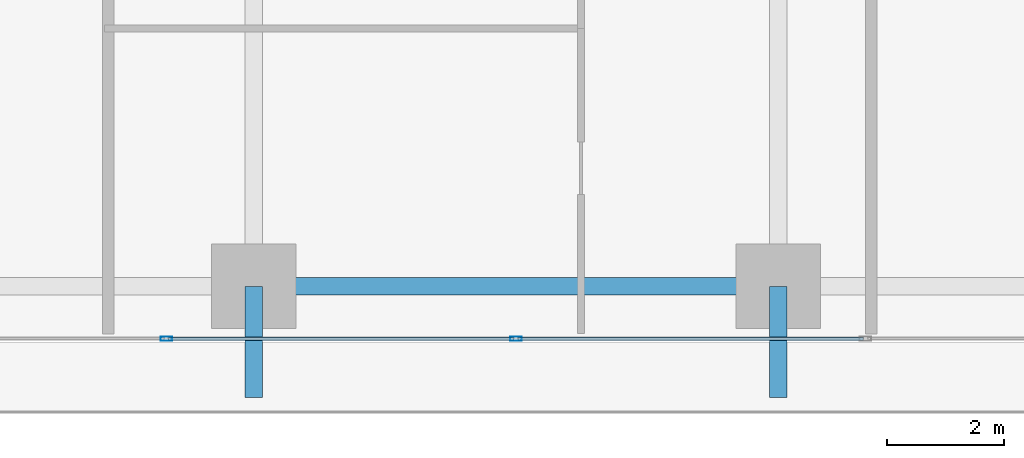
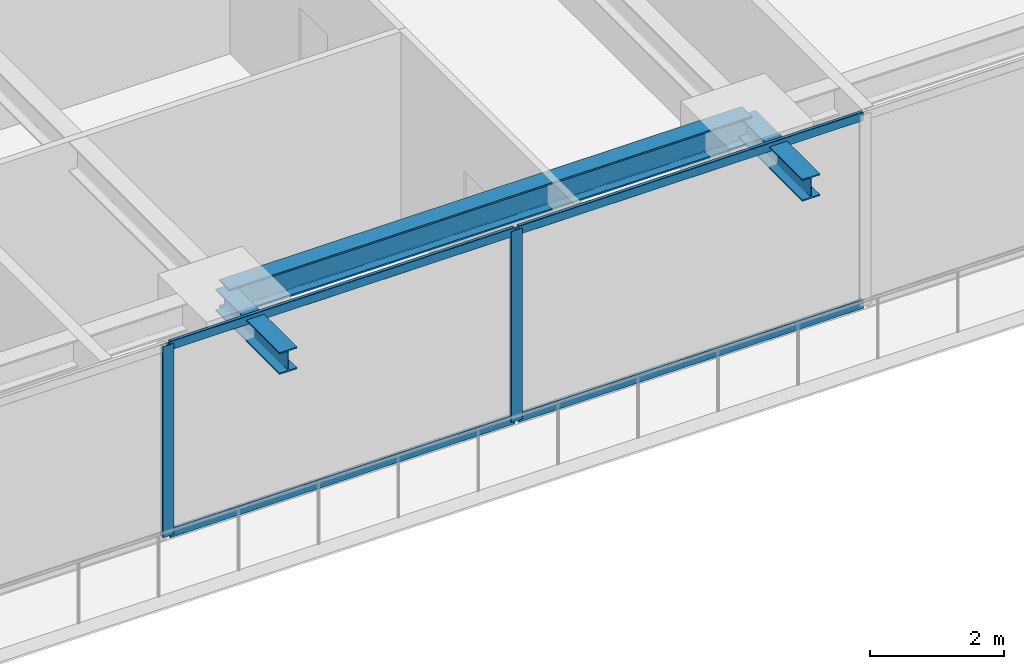
# One storey, part 5 of 38: 6 members, 3 beams, 1 element without a shape of its own.
"""IFC4 building model written with IfcOpenShell, lengths in metres."""

import ifcopenshell
import ifcopenshell.guid

model = None  # the IFC model being written
_history = None  # IfcOwnerHistory: only IFC2X3 demands one
_inside = {}  # id of a spatial element -> (the spatial element, [elements in it])
_under = {}  # id of a project, library or spatial element -> (it, [spatial elements below it])
_declared = {}  # id of a project -> (the project, [libraries it declares])
_typed = {}  # id of a type object -> (the type object, [elements of that type])
_made_of = {}  # id of a material, layer set ... -> (it, [elements and type objects made of it])


def new_model(schema):
    """Start an empty IFC model of exactly this schema.

    Asked for "IFC4X3", IfcOpenShell would pick the latest addendum, in which some entities
    have other attributes; the version numbers below select the first issue.
    IFC2X3 requires an IfcOwnerHistory on every rooted entity: one is made here for all.
    """
    global model, _history
    if schema == "IFC4X3":
        model = ifcopenshell.file(schema_version=(4, 3, 0, 0))
    else:
        model = ifcopenshell.file(schema=schema)
    _inside.clear()
    _under.clear()
    _declared.clear()
    _typed.clear()
    _made_of.clear()
    _history = None
    if model.schema == "IFC2X3":
        org = make("IfcOrganization", Name="unknown")
        user = make(
            "IfcPersonAndOrganization",
            ThePerson=make("IfcPerson", FamilyName="unknown"),
            TheOrganization=org,
        )
        app = make(
            "IfcApplication",
            ApplicationDeveloper=org,
            Version="unknown",
            ApplicationFullName="unknown",
            ApplicationIdentifier="unknown",
        )
        _history = make(
            "IfcOwnerHistory",
            OwningUser=user,
            OwningApplication=app,
            ChangeAction="ADDED",
            CreationDate=0,
        )
    return model


def make(cls, **values):
    """One entity of the class cls with the attributes given. An attribute that is None is left unset."""
    return model.create_entity(
        cls, **{name: value for name, value in values.items() if value is not None}
    )


def rooted(cls, **values):
    """An entity with a GlobalId (a new one), such as an element, a storey or a relation."""
    return make(cls, GlobalId=ifcopenshell.guid.new(), OwnerHistory=_history, **values)


def si_unit(unit_type, name, prefix=None):
    """IfcSIUnit, for example si_unit("LENGTHUNIT", "METRE", prefix="MILLI")."""
    return make("IfcSIUnit", UnitType=unit_type, Prefix=prefix, Name=name)


def assignment(units):
    """IfcUnitAssignment: the units of a project."""
    return None if units is None else make("IfcUnitAssignment", Units=units)


def point(xyz):
    """IfcCartesianPoint."""
    return None if xyz is None else make("IfcCartesianPoint", Coordinates=xyz)


def direction(xyz):
    """IfcDirection."""
    return None if xyz is None else make("IfcDirection", DirectionRatios=xyz)


def frame(location, z_axis=None, x_axis=None):
    """IfcAxis2Placement3D, a coordinate frame: its origin and axes. An axis left out is left unset."""
    return make(
        "IfcAxis2Placement3D",
        Location=point(location),
        Axis=direction(z_axis),
        RefDirection=direction(x_axis),
    )


def frame_2d(location, x_axis=None):
    """IfcAxis2Placement2D, a coordinate frame in the plane: its origin and x axis."""
    return make(
        "IfcAxis2Placement2D", Location=point(location), RefDirection=direction(x_axis)
    )


def origin():
    """The frame at (0, 0, 0) with its axes left unset."""
    return frame((0.0, 0.0, 0.0))


def origin_2d():
    """The frame at (0, 0) in the plane with its x axis left unset."""
    return frame_2d((0.0, 0.0))


def place(relative_to, where):
    """IfcLocalPlacement: puts the frame where relative to a parent placement (None: the world)."""
    return make(
        "IfcLocalPlacement", PlacementRelTo=relative_to, RelativePlacement=where
    )


def context(
    kind, dimensions, precision=None, world=None, true_north=None, identifier=None
):
    """IfcGeometricRepresentationContext, for example the 3D "Model" context."""
    return make(
        "IfcGeometricRepresentationContext",
        ContextIdentifier=identifier,
        ContextType=kind,
        CoordinateSpaceDimension=dimensions,
        Precision=precision,
        WorldCoordinateSystem=world,
        TrueNorth=true_north,
    )


def subcontext(parent, identifier, kind, view, scale=None):
    """IfcGeometricRepresentationSubContext, for example "Body" below "Model"."""
    return make(
        "IfcGeometricRepresentationSubContext",
        ContextIdentifier=identifier,
        ContextType=kind,
        ParentContext=parent,
        TargetScale=scale,
        TargetView=view,
    )


def project(units=None, contexts=None):
    """IfcProject with its units and contexts."""
    return rooted(
        "IfcProject",
        Name="project",
        RepresentationContexts=contexts,
        UnitsInContext=assignment(units),
    )


def spatial(cls, under=None, at=None, **own):
    """A site, building, storey or space (cls), placed at a placement, below another one or the project."""
    s = rooted(cls, ObjectPlacement=at, **own)
    if under is not None:
        _under.setdefault(under.id(), (under, []))[1].append(s)
    return s


def profile(cls, at=None, kind="AREA", **sizes):
    """A parametric profile (cls). Its sizes go by their IFC names, for example OverallWidth=200.0."""
    return make(cls, ProfileType=kind, Position=at, **sizes)


def hollow_rectangle(**sizes):
    """IfcRectangleHollowProfileDef."""
    return profile("IfcRectangleHollowProfileDef", **sizes)


def i_section(**sizes):
    """IfcIShapeProfileDef."""
    return profile("IfcIShapeProfileDef", **sizes)


def extrude(swept, where, along, depth):
    """IfcExtrudedAreaSolid: the profile swept, set in the frame where, extruded along a direction by depth."""
    return make(
        "IfcExtrudedAreaSolid",
        SweptArea=swept,
        Position=where,
        ExtrudedDirection=direction(along),
        Depth=depth,
    )


def shape(context_of_items, identifier, shape_type, items):
    """IfcShapeRepresentation: the items that make up one representation, for example the "Body"."""
    return make(
        "IfcShapeRepresentation",
        ContextOfItems=context_of_items,
        RepresentationIdentifier=identifier,
        RepresentationType=shape_type,
        Items=items,
    )


def source(mapping_origin, context_of_items, identifier, shape_type, items):
    """IfcRepresentationMap: a shape defined once, which mapped items show again and again."""
    return make(
        "IfcRepresentationMap",
        MappingOrigin=mapping_origin,
        MappedRepresentation=shape(context_of_items, identifier, shape_type, items),
    )


def transform(
    local_origin,
    x_axis=None,
    y_axis=None,
    z_axis=None,
    scale=None,
    scale2=None,
    scale3=None,
    uniform=True,
):
    """IfcCartesianTransformationOperator3D, or its non-uniform kind. x_axis, y_axis, z_axis: its Axis1, 2, 3."""
    if uniform:
        return make(
            "IfcCartesianTransformationOperator3D",
            Axis1=direction(x_axis),
            Axis2=direction(y_axis),
            LocalOrigin=point(local_origin),
            Scale=scale,
            Axis3=direction(z_axis),
        )
    return make(
        "IfcCartesianTransformationOperator3DnonUniform",
        Axis1=direction(x_axis),
        Axis2=direction(y_axis),
        LocalOrigin=point(local_origin),
        Scale=scale,
        Axis3=direction(z_axis),
        Scale2=scale2,
        Scale3=scale3,
    )


def mapped(mapping_source, mapping_target):
    """IfcMappedItem: shows the shape of a source again, moved by a transform."""
    return make(
        "IfcMappedItem", MappingSource=mapping_source, MappingTarget=mapping_target
    )


def material(Name=None, Category=None):
    """IfcMaterial."""
    return make("IfcMaterial", Name=Name, Category=Category)


def layer(
    of_material, thickness, ventilated=None, Name=None, Category=None, Priority=None
):
    """IfcMaterialLayer: one layer of a wall or slab, of a material (None: an air gap)."""
    return make(
        "IfcMaterialLayer",
        Material=of_material,
        LayerThickness=thickness,
        IsVentilated=ventilated,
        Name=Name,
        Category=Category,
        Priority=Priority,
    )


def layer_set(layers, Name=None):
    """IfcMaterialLayerSet."""
    return make("IfcMaterialLayerSet", MaterialLayers=layers, LayerSetName=Name)


def material_profile(
    of_material, cross_section, Name=None, Category=None, Priority=None
):
    """IfcMaterialProfile: a cross section and its material."""
    return make(
        "IfcMaterialProfile",
        Name=Name,
        Material=of_material,
        Profile=cross_section,
        Priority=Priority,
        Category=Category,
    )


def profile_set(profiles, Name=None, composite=None):
    """IfcMaterialProfileSet."""
    return make(
        "IfcMaterialProfileSet",
        Name=Name,
        MaterialProfiles=profiles,
        CompositeProfile=composite,
    )


def made_of(thing, what):
    """Note that an element or type object is made of a material, layer set ...; save() writes the relation."""
    if what is not None:
        _made_of.setdefault(what.id(), (what, []))[1].append(thing)
    return thing


def type_object(cls, material=None, **own):
    """A type object (cls), such as IfcWallType, which elements share."""
    return made_of(rooted(cls, **own), material)


def element(
    cls,
    number,
    at=None,
    inside=None,
    cuts=None,
    type_object=None,
    material=None,
    context=None,
    identifier="Body",
    shape_type=None,
    held_by="IfcProductDefinitionShape",
    body=None,
    shapes=None,
    **own,
):
    """One element of the class cls, such as IfcWall. Its Tag is "e" and its number.

    at: its placement. inside: the storey or other place that contains it. cuts: it is an
    opening in that element (IfcRelVoidsElement). A single representation is given by context,
    identifier, shape_type and body (its items); several are given by shapes. held_by: the class
    of the entity that holds the representations. save() writes the other relations.
    """
    e = rooted(cls, Tag="e%d" % number, ObjectPlacement=at, **own)
    if body is not None:
        shapes = [shape(context, identifier, shape_type, body)]
    if shapes is not None:
        e.Representation = make(held_by, Representations=shapes)
    if inside is not None:
        _inside.setdefault(inside.id(), (inside, []))[1].append(e)
    if cuts is not None:
        rooted(
            "IfcRelVoidsElement", RelatingBuildingElement=cuts, RelatedOpeningElement=e
        )
    if type_object is not None:
        _typed.setdefault(type_object.id(), (type_object, []))[1].append(e)
    return made_of(e, material)


def aggregate(whole, parts):
    """IfcRelAggregates: a whole, such as a stair, and the parts it consists of."""
    return rooted("IfcRelAggregates", RelatingObject=whole, RelatedObjects=parts)


def save(model, path):
    """Write the relations noted so far, then the file.

    IfcRelAggregates (storeys below a building ...), IfcRelContainedInSpatialStructure (elements
    in a storey), IfcRelDefinesByType, IfcRelAssociatesMaterial and IfcRelDeclares: one each for
    every whole, place, type object, material and project.
    """
    for whole, parts in _under.values():
        aggregate(whole, parts)
    for where, things in _inside.values():
        rooted(
            "IfcRelContainedInSpatialStructure",
            RelatedElements=things,
            RelatingStructure=where,
        )
    for kind, things in _typed.values():
        rooted("IfcRelDefinesByType", RelatedObjects=things, RelatingType=kind)
    for what, things in _made_of.values():
        rooted("IfcRelAssociatesMaterial", RelatedObjects=things, RelatingMaterial=what)
    for by, libraries in _declared.values():
        rooted("IfcRelDeclares", RelatingContext=by, RelatedDefinitions=libraries)
    model.write(path)


model = new_model("IFC4")

# Units and contexts
model_context = context("Model", 3, precision=1e-05, world=origin(), true_north=direction((0.0, 1.0)))
body_context = subcontext(model_context, "Body", "Model", "MODEL_VIEW")
ifc_project = project(units=[si_unit("LENGTHUNIT", "METRE"), si_unit("AREAUNIT", "SQUARE_METRE"), si_unit("VOLUMEUNIT", "CUBIC_METRE"), si_unit("PLANEANGLEUNIT", "RADIAN"), si_unit("MASSUNIT", "GRAM", prefix="KILO")], contexts=[model_context])

# Site, building, storey
site_placement = place(None, origin())
site = spatial("IfcSite", under=ifc_project, at=site_placement, CompositionType="ELEMENT")
building_placement = place(site_placement, origin())
building = spatial("IfcBuilding", under=site, at=building_placement, Name="Serunith Strait Residences", CompositionType="ELEMENT")
storey_placement = place(building_placement, frame((0.0, 0.0, 37.949951171875)))
storey = spatial("IfcBuildingStorey", under=building, at=storey_placement, Name="L08", CompositionType="ELEMENT", Elevation=37.949951171875)

# Beams
ifc_material_1 = material(Name="Steel S355J2", Category="steel")
ifc_material_profile_1 = material_profile(ifc_material_1, i_section(OverallWidth=0.300048828125, OverallDepth=0.5, WebThickness=0.014404296875, FlangeThickness=0.028076171875, FilletRadius=0.027099609375, at=origin_2d()), Name="HEB 500")
ifc_profile_set_1 = profile_set([ifc_material_profile_1], Name="Steel S355J2")
beam_type_1 = type_object("IfcBeamType", Name="BM-HEB500", PredefinedType="BEAM", material=ifc_profile_set_1)
shared_shape_1 = source(origin(), body_context, "Body", "SweptSolid", [
    extrude(i_section(OverallWidth=0.300048828125, OverallDepth=0.5, WebThickness=0.014404296875, FlangeThickness=0.028076171875, FilletRadius=0.027099609375, at=origin_2d()), origin(), (0.0, 0.0, 1.0), 9.0),
])
beam_placement = place(storey_placement, frame((27.89990234375, 1.10009765625, 3.237060546875), z_axis=(1.0, 0.0, 0.0), x_axis=(0.0, 1.0, 0.0)))
element("IfcBeam", 1, at=beam_placement, inside=storey, type_object=beam_type_1, Name="L08 Perimeter Ring Beam 02", PredefinedType="BEAM", context=body_context, shape_type="MappedRepresentation", body=[
    mapped(shared_shape_1, transform((0.0, 0.0, 0.0), scale=1.0)),
])
ifc_material_profile_2 = material_profile(ifc_material_1, i_section(OverallWidth=0.300048828125, OverallDepth=0.39990234375, WebThickness=0.013427734375, FlangeThickness=0.02392578125, FilletRadius=0.027099609375, at=origin_2d()), Name="HEB 400")
ifc_profile_set_2 = profile_set([ifc_material_profile_2], Name="Steel S355J2")
beam_type_2 = type_object("IfcBeamType", Name="BM-HEB400", PredefinedType="BEAM", material=ifc_profile_set_2)
shared_shape_2 = source(origin(), body_context, "Body", "SweptSolid", [
    extrude(i_section(OverallWidth=0.300048828125, OverallDepth=0.39990234375, WebThickness=0.013427734375, FlangeThickness=0.02392578125, FilletRadius=0.027099609375, at=origin_2d()), origin(), (0.0, 0.0, 1.0), 1.91015625),
])
for number, where, z_axis, x_axis, name in (
    (2, (27.89990234375, 1.10009765625, 3.257080078125), (0.0, -1.0, 0.0), (1.0, 0.0, 0.0), "L09 Cantilevered Balcony Rib TC-S2"),
    (3, (36.89990234375, 1.10009765625, 3.257080078125), (0.0, -1.0, 0.0), (1.0, 0.0, 0.0), "L09 Cantilevered Balcony Rib TC-S3"),
):
    element("IfcBeam", number, at=place(storey_placement, frame(where, z_axis=z_axis, x_axis=x_axis)), inside=storey, type_object=beam_type_2, Name=name, PredefinedType="BEAM", context=body_context, shape_type="MappedRepresentation", body=[
        mapped(shared_shape_2, transform((0.0, 0.0, 0.0), scale=1.0)),
    ])

# Curtain wall, members
ifc_material_2 = material(Name="Pale-Champagne Anodised Aluminium", Category="aluminium")
ifc_layer = layer(ifc_material_2, 0.199951171875, Name="Pale-Champagne Anodised Aluminium")
ifc_layer_set = layer_set([ifc_layer], Name="Pale-Champagne Anodised Aluminium")
curtain_wall_type = type_object("IfcCurtainWallType", Name="CW-SYS1", PredefinedType="NOTDEFINED", material=ifc_layer_set)
curtain_wall_placement = place(storey_placement, origin())
curtain_wall = element("IfcCurtainWall", 4, at=curtain_wall_placement, inside=storey, type_object=curtain_wall_type, Name="L08 S Unitised Fritted Curtain Wall", PredefinedType="NOTDEFINED")
ifc_material_profile_3 = material_profile(ifc_material_2, hollow_rectangle(XDim=0.070068359375, YDim=0.199951171875, WallThickness=0.00390625, InnerFilletRadius=0.006103515625, OuterFilletRadius=0.010009765625, at=origin_2d()), Name="ALU 200x70x4")
ifc_profile_set_3 = profile_set([ifc_material_profile_3], Name="Pale-Champagne Anodised Aluminium")
member_type_1 = type_object("IfcMemberType", Name="CW-SYS1-MULL", PredefinedType="MULLION", material=ifc_profile_set_3)
shared_shape_3 = source(origin(), body_context, "Body", "SweptSolid", [
    extrude(hollow_rectangle(XDim=0.070068359375, YDim=0.199951171875, WallThickness=0.00390625, InnerFilletRadius=0.006103515625, OuterFilletRadius=0.010009765625, at=origin_2d()), origin(), (0.0, 0.0, 1.0), 3.47509765625),
])
member_1_placement = place(storey_placement, frame((26.39990234375, 0.199951171875, 0.0), z_axis=(0.0, 0.0, 1.0), x_axis=(0.0, 1.0, 0.0)))
member_1 = element("IfcMember", 5, at=member_1_placement, type_object=member_type_1, Name="CW-1 mullion 3", PredefinedType="MULLION", context=body_context, shape_type="MappedRepresentation", body=[
    mapped(shared_shape_3, transform((0.0, 0.0, 0.0), scale=1.0)),
])
member_2_placement = place(storey_placement, frame((32.39990234375, 0.199951171875, 0.0), z_axis=(0.0, 0.0, 1.0), x_axis=(0.0, 1.0, 0.0)))
member_2 = element("IfcMember", 6, at=member_2_placement, type_object=member_type_1, Name="CW-1 mullion 4", PredefinedType="MULLION", context=body_context, shape_type="MappedRepresentation", body=[
    mapped(shared_shape_3, transform((0.0, 0.0, 0.0), scale=1.0)),
])
ifc_material_profile_4 = material_profile(ifc_material_2, hollow_rectangle(XDim=0.06005859375, YDim=0.159912109375, WallThickness=0.00341796875, InnerFilletRadius=0.00537109375, OuterFilletRadius=0.0087890625, at=origin_2d()), Name="ALU 160x60x3.5")
ifc_profile_set_4 = profile_set([ifc_material_profile_4], Name="Pale-Champagne Anodised Aluminium")
member_type_2 = type_object("IfcMemberType", Name="CW-SYS1-TRAN", PredefinedType="USERDEFINED", material=ifc_profile_set_4)
shared_shape_4 = source(origin(), body_context, "Body", "SweptSolid", [
    extrude(hollow_rectangle(XDim=0.06005859375, YDim=0.159912109375, WallThickness=0.00341796875, InnerFilletRadius=0.00537109375, OuterFilletRadius=0.0087890625, at=origin_2d()), origin(), (0.0, 0.0, 1.0), 5.929931640625),
])
member_3_placement = place(storey_placement, frame((26.43505859375, 0.199951171875, 0.030029296875), z_axis=(1.0, 0.0, 0.0), x_axis=(0.0, 1.0, 0.0)))
member_3 = element("IfcMember", 7, at=member_3_placement, type_object=member_type_2, Name="CW-1 transom 3.1", ObjectType="TRANSOM", PredefinedType="USERDEFINED", context=body_context, shape_type="MappedRepresentation", body=[
    mapped(shared_shape_4, transform((0.0, 0.0, 0.0), scale=1.0)),
])
member_4_placement = place(storey_placement, frame((26.43505859375, 0.199951171875, 3.445068359375), z_axis=(1.0, 0.0, 0.0), x_axis=(0.0, 1.0, 0.0)))
member_4 = element("IfcMember", 8, at=member_4_placement, type_object=member_type_2, Name="CW-1 transom 3.2", ObjectType="TRANSOM", PredefinedType="USERDEFINED", context=body_context, shape_type="MappedRepresentation", body=[
    mapped(shared_shape_4, transform((0.0, 0.0, 0.0), scale=1.0)),
])
member_5_placement = place(storey_placement, frame((32.43505859375, 0.199951171875, 0.030029296875), z_axis=(1.0, 0.0, 0.0), x_axis=(0.0, 1.0, 0.0)))
member_5 = element("IfcMember", 9, at=member_5_placement, type_object=member_type_2, Name="CW-1 transom 4.1", ObjectType="TRANSOM", PredefinedType="USERDEFINED", context=body_context, shape_type="MappedRepresentation", body=[
    mapped(shared_shape_4, transform((0.0, 0.0, 0.0), scale=1.0)),
])
member_6_placement = place(storey_placement, frame((32.43505859375, 0.199951171875, 3.445068359375), z_axis=(1.0, 0.0, 0.0), x_axis=(0.0, 1.0, 0.0)))
member_6 = element("IfcMember", 10, at=member_6_placement, type_object=member_type_2, Name="CW-1 transom 4.2", ObjectType="TRANSOM", PredefinedType="USERDEFINED", context=body_context, shape_type="MappedRepresentation", body=[
    mapped(shared_shape_4, transform((0.0, 0.0, 0.0), scale=1.0)),
])
aggregate(curtain_wall, [member_1, member_2, member_3, member_4, member_5, member_6])

save(model, "model.ifc")
